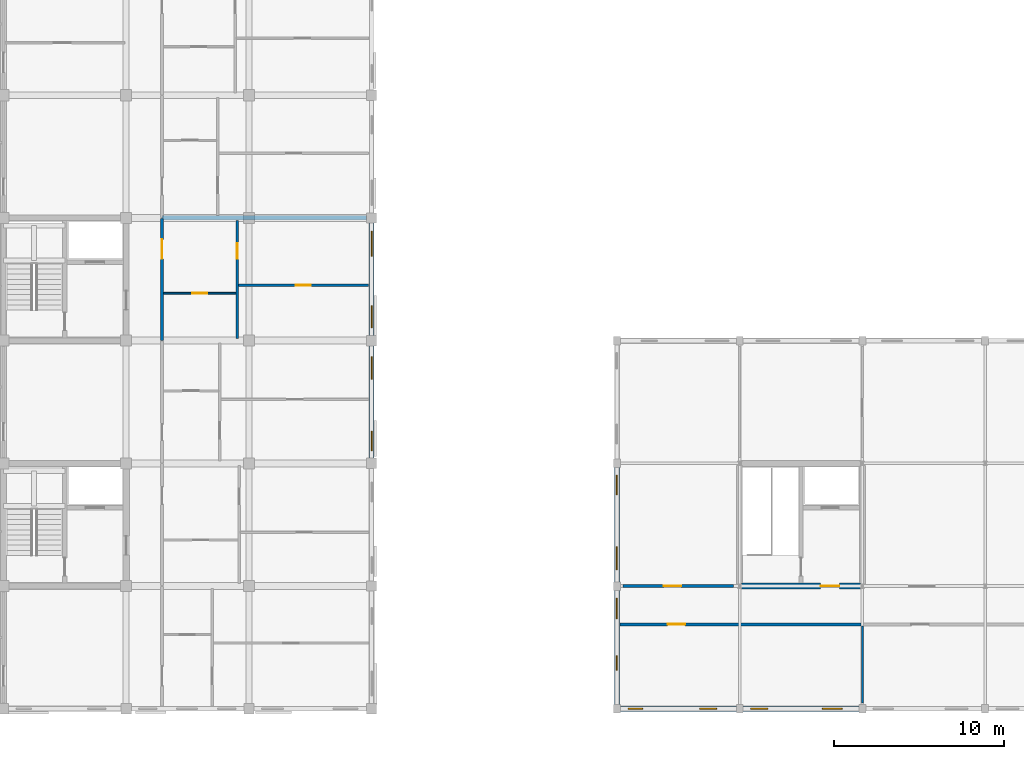
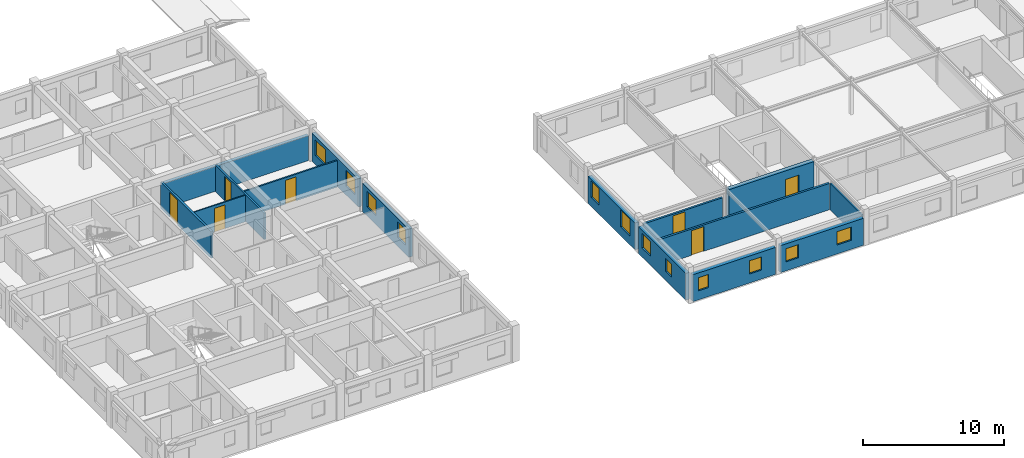
# One storey, part 16 of 50: 15 walls, 12 windows, 7 doors, 19 openings.
"""IFC4 building model written with IfcOpenShell, lengths in metres."""

from ifc_helpers import new_model, si_unit, direction, frame, frame_2d, origin, place, context, subcontext, project, spatial, rectangle, extrude, material, layer, layer_set, type_object, element, fill, save


model = new_model("IFC4")

# Units and contexts
model_context = context("Model", 3, precision=1e-05, world=origin(), true_north=direction((0.0, 1.0)))
body_context = subcontext(model_context, "Body", "Model", "MODEL_VIEW")
ifc_project = project(units=[si_unit("LENGTHUNIT", "METRE"), si_unit("AREAUNIT", "SQUARE_METRE"), si_unit("VOLUMEUNIT", "CUBIC_METRE"), si_unit("PLANEANGLEUNIT", "RADIAN"), si_unit("MASSUNIT", "GRAM", prefix="KILO"), si_unit("THERMODYNAMICTEMPERATUREUNIT", "KELVIN"), si_unit("POWERUNIT", "WATT")], contexts=[model_context])

# Site, building, storey
site_placement = place(None, origin())
site = spatial("IfcSite", under=ifc_project, at=site_placement, CompositionType="ELEMENT")
building_placement = place(site_placement, origin())
building = spatial("IfcBuilding", under=site, at=building_placement, Name="Tavuni Mirador Residences", CompositionType="ELEMENT")
storey_placement = place(building_placement, frame((0.0, 0.0, 4.5)))
storey = spatial("IfcBuildingStorey", under=building, at=storey_placement, Name="L01", CompositionType="ELEMENT", Elevation=4.5)

# Wall, opening, door
ifc_material_1 = material(Name="Precast concrete C40/50", Category="concrete")
ifc_layer_1 = layer(ifc_material_1, 0.360107421875, Name="Precast concrete C40/50", Category="concrete")
ifc_layer_set_1 = layer_set([ifc_layer_1], Name="Precast concrete C40/50")
wall_type_1 = type_object("IfcWallType", Name="WT-COR360", PredefinedType="SHEAR", material=ifc_layer_set_1)
wall_1_placement = place(storey_placement, frame((54.1201171875, 14.39990234375, 0.0), z_axis=(0.0, 0.0, 1.0), x_axis=(1.0, 0.0, 0.0)))
wall_1 = element("IfcWall", 1, at=wall_1_placement, inside=storey, type_object=wall_type_1, Name="CWALL-CS1-L01-SS", PredefinedType="SHEAR", context=body_context, shape_type="SweptSolid", body=[
    extrude(rectangle(XDim=6.9599609375, YDim=0.360107421875, at=frame_2d((3.47998046875, 0.0))), origin(), (0.0, 0.0, 1.0), 2.889892578125),
])
opening_1_placement = place(wall_1_placement, frame((4.6298828125, 0.0, 0.0)))
opening_1 = element("IfcOpeningElement", 2, at=opening_1_placement, cuts=wall_1, Name="Opening D-02", PredefinedType="OPENING", context=body_context, shape_type="SweptSolid", body=[
    extrude(rectangle(XDim=1.10009765625, YDim=2.14990234375, at=frame_2d((0.550048828125, 1.074951171875))), frame((0.0, 0.18994140625, 0.0), z_axis=(0.0, -1.0, 0.0), x_axis=(1.0, 0.0, 0.0)), (0.0, 0.0, 1.0), 0.380126953125),
])
ifc_material_2 = material(Name="Solid core iroko timber", Category="wood")
door_type_1 = type_object("IfcDoorType", Name="DT-LOB1100", OperationType="NOTDEFINED", PredefinedType="DOOR", material=ifc_material_2)
door_1_placement = place(opening_1_placement, frame((1.10009765625, 0.0, 0.0), z_axis=(0.0, 0.0, 1.0), x_axis=(-1.0, 0.0, 0.0)))
door_1 = element("IfcDoor", 3, at=door_1_placement, inside=storey, type_object=door_type_1, Name="DR-2360", OperationType="SINGLE_SWING_RIGHT", OverallHeight=2.14990234375, OverallWidth=1.10009765625, PredefinedType="DOOR", context=body_context, shape_type="SweptSolid", body=[
    extrude(rectangle(XDim=1.10009765625, YDim=2.14990234375, at=frame_2d((0.550048828125, 1.074951171875))), frame((0.0, 0.02490234375, 0.0), z_axis=(0.0, -1.0, 0.0), x_axis=(1.0, 0.0, 0.0)), (0.0, 0.0, 1.0), 0.050048828125),
])
fill(opening_1, door_1)

ifc_layer_2 = layer(ifc_material_1, 0.1650390625, Name="Precast concrete C40/50", Category="concrete")
ifc_layer_set_2 = layer_set([ifc_layer_2], Name="Precast concrete C40/50")
wall_type_2 = type_object("IfcWallType", Name="WT-CORR165", PredefinedType="PARTITIONING", material=ifc_layer_set_2)
wall_2_placement = place(storey_placement, frame((20.10009765625, 28.820068359375, 0.0), z_axis=(0.0, 0.0, 1.0), x_axis=(0.0, 1.0, 0.0)))
wall_2 = element("IfcWall", 4, at=wall_2_placement, inside=storey, type_object=wall_type_2, Name="CORW-BLK-A-L01-0-03", PredefinedType="PARTITIONING", context=body_context, shape_type="SweptSolid", body=[
    extrude(rectangle(XDim=7.159912109375, YDim=0.1650390625, at=frame_2d((3.580078125, 0.0))), origin(), (0.0, 0.0, 1.0), 2.304931640625),
])
opening_2_placement = place(wall_2_placement, frame((4.780029296875, 0.0, 0.0)))
opening_2 = element("IfcOpeningElement", 5, at=opening_2_placement, cuts=wall_2, Name="Opening D-20", PredefinedType="OPENING", context=body_context, shape_type="SweptSolid", body=[
    extrude(rectangle(XDim=1.139892578125, YDim=2.179931640625, at=frame_2d((0.56982421875, 1.08984375))), frame((0.0, 0.092529296875, 0.0), z_axis=(0.0, -1.0, 0.0), x_axis=(1.0, 0.0, 0.0)), (0.0, 0.0, 1.0), 0.18505859375),
])
door_type_2 = type_object("IfcDoorType", Name="DT-FD60-1140", OperationType="NOTDEFINED", PredefinedType="DOOR", material=ifc_material_2)
door_2_placement = place(opening_2_placement, origin())
door_2 = element("IfcDoor", 6, at=door_2_placement, inside=storey, type_object=door_type_2, Name="DR-2396", OperationType="SINGLE_SWING_LEFT", OverallHeight=2.179931640625, OverallWidth=1.139892578125, PredefinedType="DOOR", context=body_context, shape_type="SweptSolid", body=[
    extrude(rectangle(XDim=1.139892578125, YDim=2.179931640625, at=frame_2d((0.56982421875, 1.08984375))), frame((0.0, 0.02490234375, 0.0), z_axis=(0.0, -1.0, 0.0), x_axis=(1.0, 0.0, 0.0)), (0.0, 0.0, 1.0), 0.050048828125),
])
fill(opening_2, door_2)

wall_3_placement = place(storey_placement, frame((46.97509765625, 12.14990234375, 0.0), z_axis=(0.0, 0.0, 1.0), x_axis=(1.0, 0.0, 0.0)))
wall_3 = element("IfcWall", 7, at=wall_3_placement, inside=storey, type_object=wall_type_2, Name="PW-SHOP-L01-CS1", PredefinedType="PARTITIONING", context=body_context, shape_type="SweptSolid", body=[
    extrude(rectangle(XDim=14.14501953125, YDim=0.1650390625, at=frame_2d((7.072509765625, 0.0))), origin(), (0.0, 0.0, 1.0), 2.2900390625),
])
opening_3_placement = place(wall_3_placement, frame((2.800048828125, 0.0, 0.0)))
opening_3 = element("IfcOpeningElement", 8, at=opening_3_placement, cuts=wall_3, Name="Opening D-13", PredefinedType="OPENING", context=body_context, shape_type="SweptSolid", body=[
    extrude(rectangle(XDim=1.02001953125, YDim=2.14990234375, at=frame_2d((0.510009765625, 1.074951171875))), frame((0.0, 0.092529296875, 0.0), z_axis=(0.0, -1.0, 0.0), x_axis=(1.0, 0.0, 0.0)), (0.0, 0.0, 1.0), 0.18505859375),
])
door_type_3 = type_object("IfcDoorType", Name="DT-MTG1020", OperationType="NOTDEFINED", PredefinedType="DOOR", material=ifc_material_2)
door_3_placement = place(opening_3_placement, origin())
door_3 = element("IfcDoor", 9, at=door_3_placement, inside=storey, type_object=door_type_3, Name="DR-4825", OperationType="SINGLE_SWING_RIGHT", OverallHeight=2.14990234375, OverallWidth=1.02001953125, PredefinedType="DOOR", context=body_context, shape_type="SweptSolid", body=[
    extrude(rectangle(XDim=1.02001953125, YDim=2.14990234375, at=frame_2d((0.510009765625, 1.074951171875))), frame((0.0, 0.02490234375, 0.0), z_axis=(0.0, -1.0, 0.0), x_axis=(1.0, 0.0, 0.0)), (0.0, 0.0, 1.0), 0.050048828125),
])
fill(opening_3, door_3)

wall_4_placement = place(storey_placement, frame((47.14990234375, 14.39990234375, 0.0), z_axis=(0.0, 0.0, 1.0), x_axis=(1.0, 0.0, 0.0)))
wall_4 = element("IfcWall", 10, at=wall_4_placement, inside=storey, type_object=wall_type_2, Name="PW-SHOP-L01-CN1", PredefinedType="PARTITIONING", context=body_context, shape_type="SweptSolid", body=[
    extrude(rectangle(XDim=6.5, YDim=0.1650390625, at=frame_2d((3.25, 0.0))), origin(), (0.0, 0.0, 1.0), 2.2900390625),
])
opening_4_placement = place(wall_4_placement, frame((2.39990234375, 0.0, 0.0)))
opening_4 = element("IfcOpeningElement", 11, at=opening_4_placement, cuts=wall_4, Name="Opening D-13", PredefinedType="OPENING", context=body_context, shape_type="SweptSolid", body=[
    extrude(rectangle(XDim=1.02001953125, YDim=2.14990234375, at=frame_2d((0.510009765625, 1.074951171875))), frame((0.0, 0.092529296875, 0.0), z_axis=(0.0, -1.0, 0.0), x_axis=(1.0, 0.0, 0.0)), (0.0, 0.0, 1.0), 0.18505859375),
])
door_4_placement = place(opening_4_placement, origin())
door_4 = element("IfcDoor", 12, at=door_4_placement, inside=storey, type_object=door_type_3, Name="DR-4828", OperationType="SINGLE_SWING_LEFT", OverallHeight=2.14990234375, OverallWidth=1.02001953125, PredefinedType="DOOR", context=body_context, shape_type="SweptSolid", body=[
    extrude(rectangle(XDim=1.02001953125, YDim=2.14990234375, at=frame_2d((0.510009765625, 1.074951171875))), frame((0.0, 0.02490234375, 0.0), z_axis=(0.0, -1.0, 0.0), x_axis=(1.0, 0.0, 0.0)), (0.0, 0.0, 1.0), 0.050048828125),
])
fill(opening_4, door_4)

# Wall, openings, windows
ifc_material_3 = material(Name="Sgraffito lime-rendered precast concrete C40/50", Category="concrete")
ifc_layer_3 = layer(ifc_material_3, 0.27490234375, Name="Sgraffito lime-rendered precast concrete C40/50", Category="concrete")
ifc_layer_set_3 = layer_set([ifc_layer_3], Name="Sgraffito lime-rendered precast concrete C40/50")
wall_type_3 = type_object("IfcWallType", Name="WT-EXT-PC275", PredefinedType="SOLIDWALL", material=ifc_layer_set_3)
wall_5_placement = place(storey_placement, frame((32.39990234375, 29.10009765625, 0.0), z_axis=(0.0, 0.0, 1.0), x_axis=(0.0, 1.0, 0.0)))
wall_5 = element("IfcWall", 13, at=wall_5_placement, inside=storey, type_object=wall_type_3, Name="EW-BLK-A-L01-E03", PredefinedType="SOLIDWALL", context=body_context, shape_type="SweptSolid", body=[
    extrude(rectangle(XDim=6.599853515625, YDim=0.27490234375, at=frame_2d((3.2998046875, 0.0))), origin(), (0.0, 0.0, 1.0), 2.43994140625),
])
opening_5_placement = place(wall_5_placement, frame((0.449951171875, 0.0, 0.780029296875)))
opening_5 = element("IfcOpeningElement", 14, at=opening_5_placement, cuts=wall_5, Name="Opening WN-22", PredefinedType="OPENING", context=body_context, shape_type="SweptSolid", body=[
    extrude(rectangle(XDim=1.300048828125, YDim=1.360107421875, at=frame_2d((0.64990234375, 0.68017578125))), frame((0.0, 0.1474609375, 0.0), z_axis=(0.0, -1.0, 0.0), x_axis=(1.0, 0.0, 0.0)), (0.0, 0.0, 1.0), 0.294921875),
])
opening_6_placement = place(wall_5_placement, frame((4.64990234375, 0.0, 0.780029296875)))
opening_6 = element("IfcOpeningElement", 15, at=opening_6_placement, cuts=wall_5, Name="Opening WN-24", PredefinedType="OPENING", context=body_context, shape_type="SweptSolid", body=[
    extrude(rectangle(XDim=1.4599609375, YDim=1.360107421875, at=frame_2d((0.72998046875, 0.68017578125))), frame((0.0, 0.1474609375, 0.0), z_axis=(0.0, -1.0, 0.0), x_axis=(1.0, 0.0, 0.0)), (0.0, 0.0, 1.0), 0.294921875),
])
ifc_material_4 = material(Name="Laminated solar-control glass", Category="glass")
window_type_1 = type_object("IfcWindowType", Name="WNT-22", PartitioningType="SINGLE_PANEL", PredefinedType="WINDOW", material=ifc_material_4)
window_1_placement = place(opening_5_placement, origin())
window_1 = element("IfcWindow", 16, at=window_1_placement, inside=storey, type_object=window_type_1, Name="WIN-0050", OverallHeight=1.360107421875, OverallWidth=1.300048828125, PartitioningType="SINGLE_PANEL", PredefinedType="WINDOW", context=body_context, shape_type="SweptSolid", body=[
    extrude(rectangle(XDim=1.300048828125, YDim=1.360107421875, at=frame_2d((0.64990234375, 0.68017578125))), frame((0.0, 0.030029296875, 0.0), z_axis=(0.0, -1.0, 0.0), x_axis=(1.0, 0.0, 0.0)), (0.0, 0.0, 1.0), 0.06005859375),
])
fill(opening_5, window_1)
window_type_2 = type_object("IfcWindowType", Name="WNT-24", PartitioningType="SINGLE_PANEL", PredefinedType="WINDOW", material=ifc_material_4)
window_2_placement = place(opening_6_placement, origin())
window_2 = element("IfcWindow", 17, at=window_2_placement, inside=storey, type_object=window_type_2, Name="WIN-0051", OverallHeight=1.360107421875, OverallWidth=1.4599609375, PartitioningType="SINGLE_PANEL", PredefinedType="WINDOW", context=body_context, shape_type="SweptSolid", body=[
    extrude(rectangle(XDim=1.4599609375, YDim=1.360107421875, at=frame_2d((0.72998046875, 0.68017578125))), frame((0.0, 0.030029296875, 0.0), z_axis=(0.0, -1.0, 0.0), x_axis=(1.0, 0.0, 0.0)), (0.0, 0.0, 1.0), 0.06005859375),
])
fill(opening_6, window_2)

ifc_layer_4 = layer(ifc_material_3, 0.2900390625, Name="Sgraffito lime-rendered precast concrete C40/50", Category="concrete")
ifc_layer_set_4 = layer_set([ifc_layer_4], Name="Sgraffito lime-rendered precast concrete C40/50")
wall_type_4 = type_object("IfcWallType", Name="WT-EXT-PC290", PredefinedType="SOLIDWALL", material=ifc_layer_set_4)
wall_6_placement = place(storey_placement, frame((32.39990234375, 21.89990234375, 0.0), z_axis=(0.0, 0.0, 1.0), x_axis=(0.0, 1.0, 0.0)))
wall_6 = element("IfcWall", 18, at=wall_6_placement, inside=storey, type_object=wall_type_4, Name="EW-BLK-A-L01-E02", PredefinedType="SOLIDWALL", context=body_context, shape_type="SweptSolid", body=[
    extrude(rectangle(XDim=6.60009765625, YDim=0.2900390625, at=frame_2d((3.300048828125, 0.0))), origin(), (0.0, 0.0, 1.0), 2.43994140625),
])
opening_7_placement = place(wall_6_placement, frame((0.449951171875, 0.0, 0.780029296875)))
opening_7 = element("IfcOpeningElement", 19, at=opening_7_placement, cuts=wall_6, Name="Opening WN-20", PredefinedType="OPENING", context=body_context, shape_type="SweptSolid", body=[
    extrude(rectangle(XDim=1.139892578125, YDim=1.360107421875, at=frame_2d((0.56982421875, 0.68017578125))), frame((0.0, 0.155029296875, 0.0), z_axis=(0.0, -1.0, 0.0), x_axis=(1.0, 0.0, 0.0)), (0.0, 0.0, 1.0), 0.31005859375),
])
opening_8_placement = place(wall_6_placement, frame((4.64990234375, 0.0, 0.780029296875)))
opening_8 = element("IfcOpeningElement", 20, at=opening_8_placement, cuts=wall_6, Name="Opening WN-22", PredefinedType="OPENING", context=body_context, shape_type="SweptSolid", body=[
    extrude(rectangle(XDim=1.300048828125, YDim=1.360107421875, at=frame_2d((0.64990234375, 0.68017578125))), frame((0.0, 0.155029296875, 0.0), z_axis=(0.0, -1.0, 0.0), x_axis=(1.0, 0.0, 0.0)), (0.0, 0.0, 1.0), 0.31005859375),
])
window_type_3 = type_object("IfcWindowType", Name="WNT-20", PartitioningType="SINGLE_PANEL", PredefinedType="WINDOW", material=ifc_material_4)
window_3_placement = place(opening_7_placement, origin())
window_3 = element("IfcWindow", 21, at=window_3_placement, inside=storey, type_object=window_type_3, Name="WIN-0048", OverallHeight=1.360107421875, OverallWidth=1.139892578125, PartitioningType="SINGLE_PANEL", PredefinedType="WINDOW", context=body_context, shape_type="SweptSolid", body=[
    extrude(rectangle(XDim=1.139892578125, YDim=1.360107421875, at=frame_2d((0.56982421875, 0.68017578125))), frame((0.0, 0.030029296875, 0.0), z_axis=(0.0, -1.0, 0.0), x_axis=(1.0, 0.0, 0.0)), (0.0, 0.0, 1.0), 0.06005859375),
])
fill(opening_7, window_3)
window_4_placement = place(opening_8_placement, origin())
window_4 = element("IfcWindow", 22, at=window_4_placement, inside=storey, type_object=window_type_1, Name="WIN-0049", OverallHeight=1.360107421875, OverallWidth=1.300048828125, PartitioningType="SINGLE_PANEL", PredefinedType="WINDOW", context=body_context, shape_type="SweptSolid", body=[
    extrude(rectangle(XDim=1.300048828125, YDim=1.360107421875, at=frame_2d((0.64990234375, 0.68017578125))), frame((0.0, 0.030029296875, 0.0), z_axis=(0.0, -1.0, 0.0), x_axis=(1.0, 0.0, 0.0)), (0.0, 0.0, 1.0), 0.06005859375),
])
fill(opening_8, window_4)

ifc_layer_5 = layer(ifc_material_3, 0.304931640625, Name="Sgraffito lime-rendered precast concrete C40/50", Category="concrete")
ifc_layer_set_5 = layer_set([ifc_layer_5], Name="Sgraffito lime-rendered precast concrete C40/50")
wall_type_5 = type_object("IfcWallType", Name="WT-EXT-PC305", PredefinedType="SOLIDWALL", material=ifc_layer_set_5)
wall_7_placement = place(storey_placement, frame((54.199951171875, 7.199951171875, 0.0), z_axis=(0.0, 0.0, 1.0), x_axis=(1.0, 0.0, 0.0)))
wall_7 = element("IfcWall", 23, at=wall_7_placement, inside=storey, type_object=wall_type_5, Name="EW-PAV-SHOP-L01-S01", PredefinedType="SOLIDWALL", context=body_context, shape_type="SweptSolid", body=[
    extrude(rectangle(XDim=6.800048828125, YDim=0.304931640625, at=frame_2d((3.39990234375, 0.0))), origin(), (0.0, 0.0, 1.0), 2.340087890625),
])
opening_9_placement = place(wall_7_placement, frame((0.449951171875, 0.0, 0.780029296875)))
opening_9 = element("IfcOpeningElement", 24, at=opening_9_placement, cuts=wall_7, Name="Opening WN-03", PredefinedType="OPENING", context=body_context, shape_type="SweptSolid", body=[
    extrude(rectangle(XDim=1.0, YDim=1.14990234375, at=frame_2d((0.5, 0.574951171875))), frame((0.0, 0.16259765625, 0.0), z_axis=(0.0, -1.0, 0.0), x_axis=(1.0, 0.0, 0.0)), (0.0, 0.0, 1.0), 0.324951171875),
])
opening_10_placement = place(wall_7_placement, frame((4.64990234375, 0.0, 0.780029296875)))
opening_10 = element("IfcOpeningElement", 25, at=opening_10_placement, cuts=wall_7, Name="Opening WN-05", PredefinedType="OPENING", context=body_context, shape_type="SweptSolid", body=[
    extrude(rectangle(XDim=1.159912109375, YDim=1.14990234375, at=frame_2d((0.580078125, 0.574951171875))), frame((0.0, 0.16259765625, 0.0), z_axis=(0.0, -1.0, 0.0), x_axis=(1.0, 0.0, 0.0)), (0.0, 0.0, 1.0), 0.324951171875),
])
window_type_4 = type_object("IfcWindowType", Name="WNT-03", PartitioningType="SINGLE_PANEL", PredefinedType="WINDOW", material=ifc_material_4)
window_5_placement = place(opening_9_placement, origin())
window_5 = element("IfcWindow", 26, at=window_5_placement, inside=storey, type_object=window_type_4, Name="WIN-1891", OverallHeight=1.14990234375, OverallWidth=1.0, PartitioningType="SINGLE_PANEL", PredefinedType="WINDOW", context=body_context, shape_type="SweptSolid", body=[
    extrude(rectangle(XDim=1.0, YDim=1.14990234375, at=frame_2d((0.5, 0.574951171875))), frame((0.0, 0.030029296875, 0.0), z_axis=(0.0, -1.0, 0.0), x_axis=(1.0, 0.0, 0.0)), (0.0, 0.0, 1.0), 0.06005859375),
])
fill(opening_9, window_5)
window_type_5 = type_object("IfcWindowType", Name="WNT-05", PartitioningType="SINGLE_PANEL", PredefinedType="WINDOW", material=ifc_material_4)
window_6_placement = place(opening_10_placement, origin())
window_6 = element("IfcWindow", 27, at=window_6_placement, inside=storey, type_object=window_type_5, Name="WIN-1892", OverallHeight=1.14990234375, OverallWidth=1.159912109375, PartitioningType="SINGLE_PANEL", PredefinedType="WINDOW", context=body_context, shape_type="SweptSolid", body=[
    extrude(rectangle(XDim=1.159912109375, YDim=1.14990234375, at=frame_2d((0.580078125, 0.574951171875))), frame((0.0, 0.030029296875, 0.0), z_axis=(0.0, -1.0, 0.0), x_axis=(1.0, 0.0, 0.0)), (0.0, 0.0, 1.0), 0.06005859375),
])
fill(opening_10, window_6)

wall_8_placement = place(storey_placement, frame((46.800048828125, 21.35009765625, 0.0), z_axis=(0.0, 0.0, 1.0), x_axis=(0.0, -1.0, 0.0)))
wall_8 = element("IfcWall", 28, at=wall_8_placement, inside=storey, type_object=wall_type_5, Name="EW-PAV-SHOP-L01-W01", PredefinedType="SOLIDWALL", context=body_context, shape_type="SweptSolid", body=[
    extrude(rectangle(XDim=6.7001953125, YDim=0.304931640625, at=frame_2d((3.35009765625, 0.0))), origin(), (0.0, 0.0, 1.0), 2.340087890625),
])
opening_11_placement = place(wall_8_placement, frame((0.449951171875, 0.0, 0.780029296875)))
opening_11 = element("IfcOpeningElement", 29, at=opening_11_placement, cuts=wall_8, Name="Opening WN-27", PredefinedType="OPENING", context=body_context, shape_type="SweptSolid", body=[
    extrude(rectangle(XDim=1.14990234375, YDim=1.43994140625, at=frame_2d((0.574951171875, 0.719970703125))), frame((0.0, 0.16259765625, 0.0), z_axis=(0.0, -1.0, 0.0), x_axis=(1.0, 0.0, 0.0)), (0.0, 0.0, 1.0), 0.324951171875),
])
opening_12_placement = place(wall_8_placement, frame((4.64990234375, 0.0, 0.780029296875)))
opening_12 = element("IfcOpeningElement", 30, at=opening_12_placement, cuts=wall_8, Name="Opening WN-29", PredefinedType="OPENING", context=body_context, shape_type="SweptSolid", body=[
    extrude(rectangle(XDim=1.35009765625, YDim=1.43994140625, at=frame_2d((0.675048828125, 0.719970703125))), frame((0.0, 0.16259765625, 0.0), z_axis=(0.0, -1.0, 0.0), x_axis=(1.0, 0.0, 0.0)), (0.0, 0.0, 1.0), 0.324951171875),
])
window_type_6 = type_object("IfcWindowType", Name="WNT-27", PartitioningType="SINGLE_PANEL", PredefinedType="WINDOW", material=ifc_material_4)
window_7_placement = place(opening_11_placement, origin())
window_7 = element("IfcWindow", 31, at=window_7_placement, inside=storey, type_object=window_type_6, Name="WIN-1915", OverallHeight=1.43994140625, OverallWidth=1.14990234375, PartitioningType="SINGLE_PANEL", PredefinedType="WINDOW", context=body_context, shape_type="SweptSolid", body=[
    extrude(rectangle(XDim=1.14990234375, YDim=1.43994140625, at=frame_2d((0.574951171875, 0.719970703125))), frame((0.0, 0.030029296875, 0.0), z_axis=(0.0, -1.0, 0.0), x_axis=(1.0, 0.0, 0.0)), (0.0, 0.0, 1.0), 0.06005859375),
])
fill(opening_11, window_7)
window_type_7 = type_object("IfcWindowType", Name="WNT-29", PartitioningType="SINGLE_PANEL", PredefinedType="WINDOW", material=ifc_material_4)
window_8_placement = place(opening_12_placement, origin())
window_8 = element("IfcWindow", 32, at=window_8_placement, inside=storey, type_object=window_type_7, Name="WIN-1916", OverallHeight=1.43994140625, OverallWidth=1.35009765625, PartitioningType="SINGLE_PANEL", PredefinedType="WINDOW", context=body_context, shape_type="SweptSolid", body=[
    extrude(rectangle(XDim=1.35009765625, YDim=1.43994140625, at=frame_2d((0.675048828125, 0.719970703125))), frame((0.0, 0.030029296875, 0.0), z_axis=(0.0, -1.0, 0.0), x_axis=(1.0, 0.0, 0.0)), (0.0, 0.0, 1.0), 0.06005859375),
])
fill(opening_12, window_8)

ifc_layer_6 = layer(ifc_material_3, 0.31494140625, Name="Sgraffito lime-rendered precast concrete C40/50", Category="concrete")
ifc_layer_set_6 = layer_set([ifc_layer_6], Name="Sgraffito lime-rendered precast concrete C40/50")
wall_type_6 = type_object("IfcWallType", Name="WT-EXT-PC315", PredefinedType="SOLIDWALL", material=ifc_layer_set_6)
wall_9_placement = place(storey_placement, frame((47.0, 7.199951171875, 0.0), z_axis=(0.0, 0.0, 1.0), x_axis=(1.0, 0.0, 0.0)))
wall_9 = element("IfcWall", 33, at=wall_9_placement, inside=storey, type_object=wall_type_6, Name="EW-PAV-SHOP-L01-S00", PredefinedType="SOLIDWALL", context=body_context, shape_type="SweptSolid", body=[
    extrude(rectangle(XDim=6.800048828125, YDim=0.31494140625, at=frame_2d((3.39990234375, 0.0))), origin(), (0.0, 0.0, 1.0), 2.340087890625),
])
opening_13_placement = place(wall_9_placement, frame((0.449951171875, 0.0, 0.780029296875)))
opening_13 = element("IfcOpeningElement", 34, at=opening_13_placement, cuts=wall_9, Name="Opening WN-01", PredefinedType="OPENING", context=body_context, shape_type="SweptSolid", body=[
    extrude(rectangle(XDim=0.85009765625, YDim=1.14990234375, at=frame_2d((0.425048828125, 0.574951171875))), frame((0.0, 0.16748046875, 0.0), z_axis=(0.0, -1.0, 0.0), x_axis=(1.0, 0.0, 0.0)), (0.0, 0.0, 1.0), 0.3349609375),
])
opening_14_placement = place(wall_9_placement, frame((4.64990234375, 0.0, 0.780029296875)))
opening_14 = element("IfcOpeningElement", 35, at=opening_14_placement, cuts=wall_9, Name="Opening WN-03", PredefinedType="OPENING", context=body_context, shape_type="SweptSolid", body=[
    extrude(rectangle(XDim=1.0, YDim=1.14990234375, at=frame_2d((0.5, 0.574951171875))), frame((0.0, 0.16748046875, 0.0), z_axis=(0.0, -1.0, 0.0), x_axis=(1.0, 0.0, 0.0)), (0.0, 0.0, 1.0), 0.3349609375),
])
window_type_8 = type_object("IfcWindowType", Name="WNT-01", PartitioningType="SINGLE_PANEL", PredefinedType="WINDOW", material=ifc_material_4)
window_9_placement = place(opening_13_placement, origin())
window_9 = element("IfcWindow", 36, at=window_9_placement, inside=storey, type_object=window_type_8, Name="WIN-1889", OverallHeight=1.14990234375, OverallWidth=0.85009765625, PartitioningType="SINGLE_PANEL", PredefinedType="WINDOW", context=body_context, shape_type="SweptSolid", body=[
    extrude(rectangle(XDim=0.85009765625, YDim=1.14990234375, at=frame_2d((0.425048828125, 0.574951171875))), frame((0.0, 0.030029296875, 0.0), z_axis=(0.0, -1.0, 0.0), x_axis=(1.0, 0.0, 0.0)), (0.0, 0.0, 1.0), 0.06005859375),
])
fill(opening_13, window_9)
window_10_placement = place(opening_14_placement, origin())
window_10 = element("IfcWindow", 37, at=window_10_placement, inside=storey, type_object=window_type_4, Name="WIN-1890", OverallHeight=1.14990234375, OverallWidth=1.0, PartitioningType="SINGLE_PANEL", PredefinedType="WINDOW", context=body_context, shape_type="SweptSolid", body=[
    extrude(rectangle(XDim=1.0, YDim=1.14990234375, at=frame_2d((0.5, 0.574951171875))), frame((0.0, 0.030029296875, 0.0), z_axis=(0.0, -1.0, 0.0), x_axis=(1.0, 0.0, 0.0)), (0.0, 0.0, 1.0), 0.06005859375),
])
fill(opening_14, window_10)

wall_10_placement = place(storey_placement, frame((46.800048828125, 14.14990234375, 0.0), z_axis=(0.0, 0.0, 1.0), x_axis=(0.0, -1.0, 0.0)))
wall_10 = element("IfcWall", 38, at=wall_10_placement, inside=storey, type_object=wall_type_6, Name="EW-PAV-SHOP-L01-W00", PredefinedType="SOLIDWALL", context=body_context, shape_type="SweptSolid", body=[
    extrude(rectangle(XDim=6.699951171875, YDim=0.31494140625, at=frame_2d((3.35009765625, 0.0))), origin(), (0.0, 0.0, 1.0), 2.340087890625),
])
opening_15_placement = place(wall_10_placement, frame((0.469970703125, 0.0, 0.780029296875)))
opening_15 = element("IfcOpeningElement", 39, at=opening_15_placement, cuts=wall_10, Name="Opening WN-13", PredefinedType="OPENING", context=body_context, shape_type="SweptSolid", body=[
    extrude(rectangle(XDim=1.199951171875, YDim=1.260009765625, at=frame_2d((0.60009765625, 0.6298828125))), frame((0.0, 0.16748046875, 0.0), z_axis=(0.0, -1.0, 0.0), x_axis=(1.0, 0.0, 0.0)), (0.0, 0.0, 1.0), 0.3349609375),
])
opening_16_placement = place(wall_10_placement, frame((3.85498046875, 0.0, 0.780029296875)))
opening_16 = element("IfcOpeningElement", 40, at=opening_16_placement, cuts=wall_10, Name="Opening WN-01", PredefinedType="OPENING", context=body_context, shape_type="SweptSolid", body=[
    extrude(rectangle(XDim=0.85009765625, YDim=1.14990234375, at=frame_2d((0.425048828125, 0.574951171875))), frame((0.0, 0.16748046875, 0.0), z_axis=(0.0, -1.0, 0.0), x_axis=(1.0, 0.0, 0.0)), (0.0, 0.0, 1.0), 0.3349609375),
])
window_11_placement = place(opening_16_placement, origin())
window_11 = element("IfcWindow", 41, at=window_11_placement, inside=storey, type_object=window_type_8, Name="WIN-1918", OverallHeight=1.14990234375, OverallWidth=0.85009765625, PartitioningType="SINGLE_PANEL", PredefinedType="WINDOW", context=body_context, shape_type="SweptSolid", body=[
    extrude(rectangle(XDim=0.85009765625, YDim=1.14990234375, at=frame_2d((0.425048828125, 0.574951171875))), frame((0.0, 0.030029296875, 0.0), z_axis=(0.0, -1.0, 0.0), x_axis=(1.0, 0.0, 0.0)), (0.0, 0.0, 1.0), 0.06005859375),
])
fill(opening_16, window_11)
window_type_9 = type_object("IfcWindowType", Name="WNT-13", PartitioningType="SINGLE_PANEL", PredefinedType="WINDOW", material=ifc_material_4)
window_12_placement = place(opening_15_placement, origin())
window_12 = element("IfcWindow", 42, at=window_12_placement, inside=storey, type_object=window_type_9, Name="WIN-1917", OverallHeight=1.260009765625, OverallWidth=1.199951171875, PartitioningType="SINGLE_PANEL", PredefinedType="WINDOW", context=body_context, shape_type="SweptSolid", body=[
    extrude(rectangle(XDim=1.199951171875, YDim=1.260009765625, at=frame_2d((0.60009765625, 0.6298828125))), frame((0.0, 0.030029296875, 0.0), z_axis=(0.0, -1.0, 0.0), x_axis=(1.0, 0.0, 0.0)), (0.0, 0.0, 1.0), 0.06005859375),
])
fill(opening_15, window_12)

# Wall, opening, door
ifc_material_5 = material(Name="Acoustic gypsum and concrete block partition", Category="concrete")
ifc_layer_7 = layer(ifc_material_5, 0.094970703125, Name="Acoustic gypsum and concrete block partition", Category="concrete")
ifc_layer_set_7 = layer_set([ifc_layer_7], Name="Acoustic gypsum and concrete block partition")
wall_type_7 = type_object("IfcWallType", Name="WT-PART095", PredefinedType="PARTITIONING", material=ifc_layer_set_7)
wall_11_placement = place(storey_placement, frame((20.18994140625, 31.580078125, 0.0), z_axis=(0.0, 0.0, 1.0), x_axis=(1.0, 0.0, 0.0)))
wall_11 = element("IfcWall", 43, at=wall_11_placement, inside=storey, type_object=wall_type_7, Name="PW-BLK-A-L01-E03-IN1", PredefinedType="PARTITIONING", context=body_context, shape_type="SweptSolid", body=[
    extrude(rectangle(XDim=4.25, YDim=0.094970703125, at=frame_2d((2.125, 0.0))), origin(), (0.0, 0.0, 1.0), 2.304931640625),
])
opening_17_placement = place(wall_11_placement, frame((1.68994140625, 0.0, 0.0)))
opening_17 = element("IfcOpeningElement", 44, at=opening_17_placement, cuts=wall_11, Name="Opening D-10", PredefinedType="OPENING", context=body_context, shape_type="SweptSolid", body=[
    extrude(rectangle(XDim=0.8701171875, YDim=2.050048828125, at=frame_2d((0.43505859375, 1.02490234375))), frame((0.0, 0.0576171875, 0.0), z_axis=(0.0, -1.0, 0.0), x_axis=(1.0, 0.0, 0.0)), (0.0, 0.0, 1.0), 0.114990234375),
])
door_type_4 = type_object("IfcDoorType", Name="DT-WC870", OperationType="NOTDEFINED", PredefinedType="DOOR", material=ifc_material_2)
door_5_placement = place(opening_17_placement, origin())
door_5 = element("IfcDoor", 45, at=door_5_placement, inside=storey, type_object=door_type_4, Name="DR-2975", OperationType="SINGLE_SWING_LEFT", OverallHeight=2.050048828125, OverallWidth=0.8701171875, PredefinedType="DOOR", context=body_context, shape_type="SweptSolid", body=[
    extrude(rectangle(XDim=0.8701171875, YDim=2.050048828125, at=frame_2d((0.43505859375, 1.02490234375))), frame((0.0, 0.02490234375, 0.0), z_axis=(0.0, -1.0, 0.0), x_axis=(1.0, 0.0, 0.0)), (0.0, 0.0, 1.0), 0.050048828125),
])
fill(opening_17, door_5)

ifc_layer_8 = layer(ifc_material_5, 0.125, Name="Acoustic gypsum and concrete block partition", Category="concrete")
ifc_layer_set_8 = layer_set([ifc_layer_8], Name="Acoustic gypsum and concrete block partition")
wall_type_8 = type_object("IfcWallType", Name="WT-PART125", PredefinedType="PARTITIONING", material=ifc_layer_set_8)
wall_12_placement = place(storey_placement, frame((24.580078125, 32.050048828125, 0.0), z_axis=(0.0, 0.0, 1.0), x_axis=(1.0, 0.0, 0.0)))
wall_12 = element("IfcWall", 46, at=wall_12_placement, inside=storey, type_object=wall_type_8, Name="PW-BLK-A-L01-E03-OUT", PredefinedType="PARTITIONING", context=body_context, shape_type="SweptSolid", body=[
    extrude(rectangle(XDim=7.64501953125, YDim=0.125, at=frame_2d((3.822509765625, 0.0))), origin(), (0.0, 0.0, 1.0), 2.304931640625),
])
opening_18_placement = place(wall_12_placement, frame((3.382568359375, 0.0, 0.0)))
opening_18 = element("IfcOpeningElement", 47, at=opening_18_placement, cuts=wall_12, Name="Opening D-08", PredefinedType="OPENING", context=body_context, shape_type="SweptSolid", body=[
    extrude(rectangle(XDim=0.8798828125, YDim=2.080078125, at=frame_2d((0.43994140625, 1.0400390625))), frame((0.0, 0.072509765625, 0.0), z_axis=(0.0, -1.0, 0.0), x_axis=(1.0, 0.0, 0.0)), (0.0, 0.0, 1.0), 0.14501953125),
])
door_type_5 = type_object("IfcDoorType", Name="DT-BED880", OperationType="NOTDEFINED", PredefinedType="DOOR", material=ifc_material_2)
door_6_placement = place(opening_18_placement, origin())
door_6 = element("IfcDoor", 48, at=door_6_placement, inside=storey, type_object=door_type_5, Name="DR-2974", OperationType="SINGLE_SWING_RIGHT", OverallHeight=2.080078125, OverallWidth=0.8798828125, PredefinedType="DOOR", context=body_context, shape_type="SweptSolid", body=[
    extrude(rectangle(XDim=0.8798828125, YDim=2.080078125, at=frame_2d((0.43994140625, 1.0400390625))), frame((0.0, 0.02490234375, 0.0), z_axis=(0.0, -1.0, 0.0), x_axis=(1.0, 0.0, 0.0)), (0.0, 0.0, 1.0), 0.050048828125),
])
fill(opening_18, door_6)

# Wall
wall_13_placement = place(storey_placement, frame((61.199951171875, 7.550048828125, 0.0), z_axis=(0.0, 0.0, 1.0), x_axis=(0.0, 1.0, 0.0)))
element("IfcWall", 49, at=wall_13_placement, inside=storey, type_object=wall_type_8, Name="PW-SHOP-L01-SV1", PredefinedType="PARTITIONING", context=body_context, shape_type="SweptSolid", body=[
    extrude(rectangle(XDim=4.5, YDim=0.125, at=frame_2d((2.25, 0.0))), origin(), (0.0, 0.0, 1.0), 2.2900390625),
])

# Wall, opening, door
ifc_layer_9 = layer(ifc_material_5, 0.14990234375, Name="Acoustic gypsum and concrete block partition", Category="concrete")
ifc_layer_set_9 = layer_set([ifc_layer_9], Name="Acoustic gypsum and concrete block partition")
wall_type_9 = type_object("IfcWallType", Name="WT-PART150", PredefinedType="PARTITIONING", material=ifc_layer_set_9)
wall_14_placement = place(storey_placement, frame((24.510009765625, 28.93994140625, 0.0), z_axis=(0.0, 0.0, 1.0), x_axis=(0.0, 1.0, 0.0)))
wall_14 = element("IfcWall", 50, at=wall_14_placement, inside=storey, type_object=wall_type_9, Name="PW-BLK-A-L01-E03-MID", PredefinedType="PARTITIONING", context=body_context, shape_type="SweptSolid", body=[
    extrude(rectangle(XDim=6.920166015625, YDim=0.14990234375, at=frame_2d((3.4599609375, 0.0))), origin(), (0.0, 0.0, 1.0), 2.304931640625),
])
opening_19_placement = place(wall_14_placement, frame((4.659912109375, 0.0, 0.0)))
opening_19 = element("IfcOpeningElement", 51, at=opening_19_placement, cuts=wall_14, Name="Opening D-06", PredefinedType="OPENING", context=body_context, shape_type="SweptSolid", body=[
    extrude(rectangle(XDim=0.919921875, YDim=2.10009765625, at=frame_2d((0.4599609375, 1.050048828125))), frame((0.0, 0.0849609375, 0.0), z_axis=(0.0, -1.0, 0.0), x_axis=(1.0, 0.0, 0.0)), (0.0, 0.0, 1.0), 0.169921875),
])
door_type_6 = type_object("IfcDoorType", Name="DT-INT920", OperationType="NOTDEFINED", PredefinedType="DOOR", material=ifc_material_2)
door_7_placement = place(opening_19_placement, origin())
door_7 = element("IfcDoor", 52, at=door_7_placement, inside=storey, type_object=door_type_6, Name="DR-2976", OperationType="SINGLE_SWING_RIGHT", OverallHeight=2.10009765625, OverallWidth=0.919921875, PredefinedType="DOOR", context=body_context, shape_type="SweptSolid", body=[
    extrude(rectangle(XDim=0.919921875, YDim=2.10009765625, at=frame_2d((0.4599609375, 1.050048828125))), frame((0.0, 0.02490234375, 0.0), z_axis=(0.0, -1.0, 0.0), x_axis=(1.0, 0.0, 0.0)), (0.0, 0.0, 1.0), 0.050048828125),
])
fill(opening_19, door_7)

# Wall
ifc_layer_10 = layer(ifc_material_1, 0.264892578125, Name="Precast concrete C40/50", Category="concrete")
ifc_layer_set_10 = layer_set([ifc_layer_10], Name="Precast concrete C40/50")
wall_type_10 = type_object("IfcWallType", Name="WT-XW265", PredefinedType="SOLIDWALL", material=ifc_layer_set_10)
wall_15_placement = place(storey_placement, frame((20.10009765625, 36.0, 0.0), z_axis=(0.0, 0.0, 1.0), x_axis=(1.0, 0.0, 0.0)))
element("IfcWall", 53, at=wall_15_placement, inside=storey, type_object=wall_type_10, Name="XW-BLK-A-L01-E-04", PredefinedType="SOLIDWALL", context=body_context, shape_type="SweptSolid", body=[
    extrude(rectangle(XDim=12.0, YDim=0.264892578125, at=frame_2d((6.0, 0.0))), origin(), (0.0, 0.0, 1.0), 2.169921875),
])

save(model, "model.ifc")
